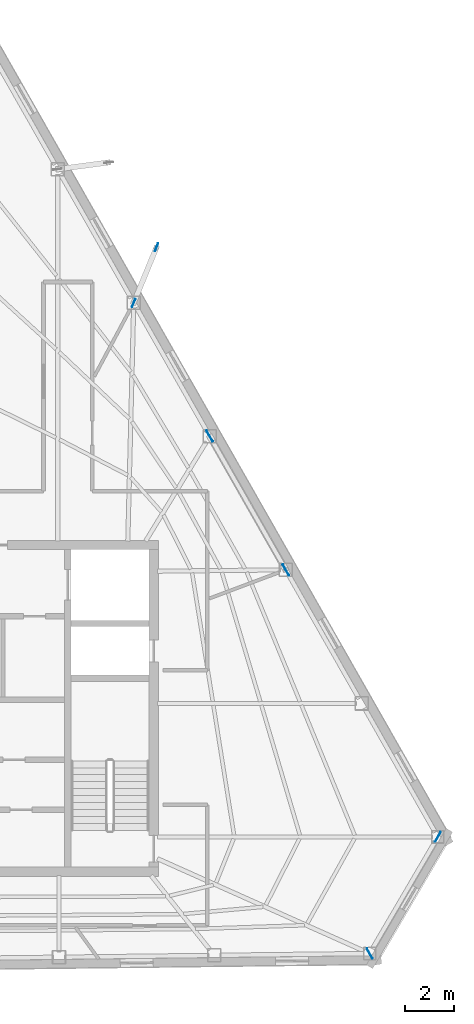
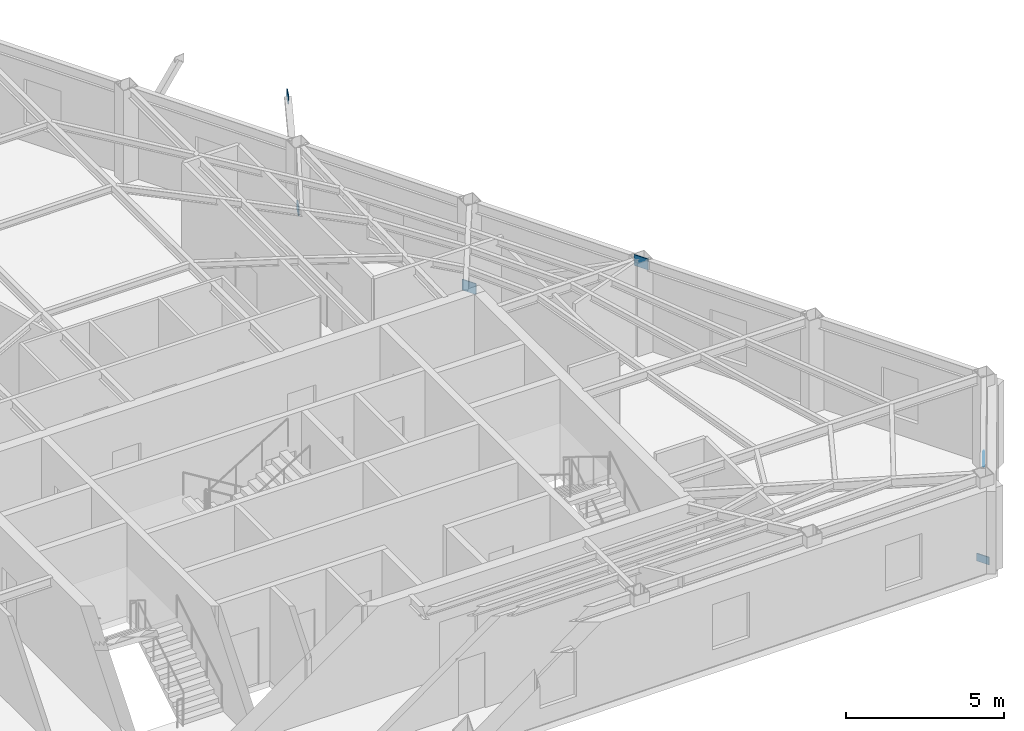
# One storey, part 5 of 10: 6 plates.
"""IFC4 building model written with IfcOpenShell, lengths in metres."""

from ifc_helpers import new_model, si_unit, direction, frame, origin, origin_2d, place, context, subcontext, project, spatial, rectangle, extrude, material, layer, layer_set, type_object, element, save


model = new_model("IFC4")

# Units and contexts
model_context = context("Model", 3, precision=1e-05, world=origin(), true_north=direction((0.0, 1.0)))
body_context = subcontext(model_context, "Body", "Model", "MODEL_VIEW")
ifc_project = project(units=[si_unit("LENGTHUNIT", "METRE"), si_unit("AREAUNIT", "SQUARE_METRE"), si_unit("VOLUMEUNIT", "CUBIC_METRE"), si_unit("PLANEANGLEUNIT", "RADIAN"), si_unit("MASSUNIT", "GRAM", prefix="KILO")], contexts=[model_context])

# Site, building, storey
site_placement = place(None, origin())
site = spatial("IfcSite", under=ifc_project, at=site_placement, CompositionType="ELEMENT")
building_placement = place(site_placement, origin())
building = spatial("IfcBuilding", under=site, at=building_placement, Name="Kavelnor Concourse Tower", CompositionType="ELEMENT")
storey_placement = place(building_placement, frame((0.0, 0.0, 289.550048828125)))
storey = spatial("IfcBuildingStorey", under=building, at=storey_placement, Name="L73", CompositionType="ELEMENT", Elevation=289.550048828125)

# Plates
ifc_material = material(Name="Steel Grade 350", Category="steel")
ifc_layer_1 = layer(ifc_material, 0.028076171875, Name="Steel Grade 350")
ifc_layer_set_1 = layer_set([ifc_layer_1], Name="Steel Grade 350")
plate_type_1 = type_object("IfcPlateType", Name="PL-GUSSET-FOLD", PredefinedType="USERDEFINED", material=ifc_layer_set_1)
for number, where, z_axis, x_axis, name in (
    (1, (56.553466796875, 6.060302734375, 0.10009765625), (0.0, 0.0, 1.0), (-0.5, 0.866025403784, 0.0), "L73 Herringbone Corner-Fold Kink Gusset Plate F1-B6"),
    (2, (59.34619140625, 10.831787109375, 0.10009765625), (0.0, 0.0, 1.0), (-0.5, -0.866025403784, 0.0), "L73 Herringbone Corner-Fold Kink Gusset Plate F2-B0"),
):
    element("IfcPlate", number, at=place(storey_placement, frame(where, z_axis=z_axis, x_axis=x_axis)), inside=storey, type_object=plate_type_1, Name=name, ObjectType="GUSSET_PLATE", PredefinedType="USERDEFINED", context=body_context, shape_type="SweptSolid", body=[
        extrude(rectangle(XDim=0.4599609375, YDim=0.028076171875, at=origin_2d()), origin(), (0.0, 0.0, 1.0), 0.300048828125),
    ])
for number, where, z_axis, x_axis, name in (
    (3, (46.88916015625, 32.693359375, 0.8798828125), (0.0, 0.0, 1.0), (0.379940546168, 0.925010908789, 0.0), "L73 Balcony Strut Gusset GP4 1-A End Gusset A"),
    (4, (47.826416015625, 34.974609375, 3.48486328125), (0.0, 0.0, 1.0), (0.379940546168, 0.925010908789, 0.0), "L73 Balcony Strut Gusset GP4 1-A End Gusset B"),
):
    element("IfcPlate", number, at=place(storey_placement, frame(where, z_axis=z_axis, x_axis=x_axis)), inside=storey, type_object=plate_type_1, Name=name, ObjectType="GUSSET_PLATE", PredefinedType="USERDEFINED", context=body_context, shape_type="SweptSolid", body=[
        extrude(rectangle(XDim=0.360107421875, YDim=0.028076171875, at=origin_2d()), origin(), (0.0, 0.0, 1.0), 0.340087890625),
    ])
ifc_layer_2 = layer(ifc_material, 0.031982421875, Name="Steel Grade 350")
ifc_layer_set_2 = layer_set([ifc_layer_2], Name="Steel Grade 350")
plate_type_2 = type_object("IfcPlateType", Name="PL-GUSSET-TUBE-Z1", PredefinedType="USERDEFINED", material=ifc_layer_set_2)
for number, where, z_axis, x_axis, name in (
    (5, (50.0009765625, 27.24658203125, 0.010009765625), (0.0, 0.0, 1.0), (0.494700455876, -0.869063552887, 0.0), "L73 Tube Brace Gusset GP3 F2-B2 End Gusset A"),
    (6, (53.1259765625, 21.7578125, 3.197021484375), (0.0, 0.0, 1.0), (0.494700455876, -0.869063552887, 0.0), "L73 Tube Brace Gusset GP3 F2-B2 End Gusset B"),
):
    element("IfcPlate", number, at=place(storey_placement, frame(where, z_axis=z_axis, x_axis=x_axis)), inside=storey, type_object=plate_type_2, Name=name, ObjectType="GUSSET_PLATE", PredefinedType="USERDEFINED", context=body_context, shape_type="SweptSolid", body=[
        extrude(rectangle(XDim=0.52001953125, YDim=0.031982421875, at=origin_2d()), origin(), (0.0, 0.0, 1.0), 0.419921875),
    ])

save(model, "model.ifc")
